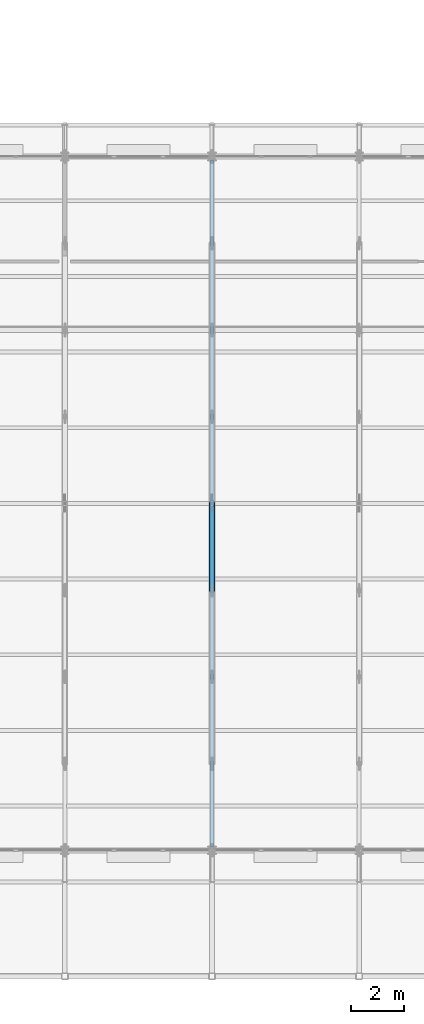
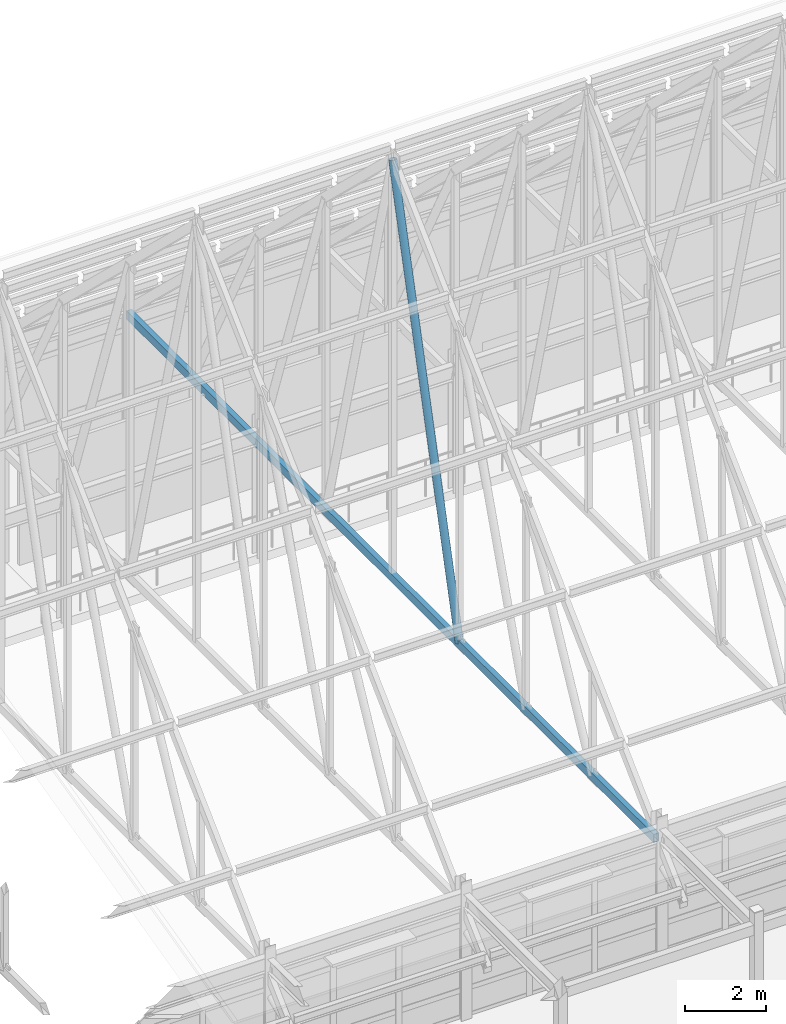
# One storey, part 45 of 144: 2 members.
"""IFC4 building model written with IfcOpenShell, lengths in metres."""

from ifc_helpers import new_model, si_unit, direction, frame, origin, origin_2d, place, context, subcontext, project, spatial, hollow_rectangle, hollow_circle, extrude, material, material_profile, profile_set, type_object, element, save


model = new_model("IFC4")

# Units and contexts
model_context = context("Model", 3, precision=1e-05, world=origin(), true_north=direction((0.0, 1.0)))
body_context = subcontext(model_context, "Body", "Model", "MODEL_VIEW")
ifc_project = project(units=[si_unit("LENGTHUNIT", "METRE"), si_unit("AREAUNIT", "SQUARE_METRE"), si_unit("VOLUMEUNIT", "CUBIC_METRE"), si_unit("PLANEANGLEUNIT", "RADIAN"), si_unit("MASSUNIT", "GRAM", prefix="KILO")], contexts=[model_context])

# Site, building, storey
site_placement = place(None, origin())
site = spatial("IfcSite", under=ifc_project, at=site_placement, CompositionType="ELEMENT")
building_placement = place(site_placement, origin())
building = spatial("IfcBuilding", under=site, at=building_placement, Name="Trelmorton Wharf Fire Station", CompositionType="ELEMENT")
storey_placement = place(building_placement, frame((0.0, 0.0, 5.39990234375)))
storey = spatial("IfcBuildingStorey", under=building, at=storey_placement, Name="L01", CompositionType="ELEMENT", Elevation=5.39990234375)

# Members
ifc_material = material(Name="Steel C350L0 (350 MPa)", Category="steel")
ifc_material_profile_1 = material_profile(ifc_material, hollow_rectangle(XDim=0.14990234375, YDim=0.25, WallThickness=0.009033203125, at=origin_2d()), Name="250x150x9.0RHS")
ifc_profile_set_1 = profile_set([ifc_material_profile_1], Name="Steel C350L0 (350 MPa)")
member_type_1 = type_object("IfcMemberType", Name="TR_CHORD_250RHS", PredefinedType="CHORD", material=ifc_profile_set_1)
member_1_placement = place(storey_placement, frame((34.39990234375, 7.95361328125, 3.351806640625), z_axis=(0.0, 1.0, 0.0), x_axis=(-1.0, 0.0, 0.0)))
element("IfcMember", 1, at=member_1_placement, inside=storey, type_object=member_type_1, Name="V1-TR07-BC", PredefinedType="CHORD", context=body_context, shape_type="SweptSolid", body=[
    extrude(hollow_rectangle(XDim=0.14990234375, YDim=0.25, WallThickness=0.009033203125, at=origin_2d()), origin(), (0.0, 0.0, 1.0), 26.0927734375),
])
ifc_material_profile_2 = material_profile(ifc_material, hollow_circle(Radius=0.109619140625, WallThickness=0.00830078125, at=origin_2d()), Name="219.1x8.2CHS")
ifc_profile_set_2 = profile_set([ifc_material_profile_2], Name="Steel C350L0 (350 MPa)")
member_type_2 = type_object("IfcMemberType", Name="TR_DIAG_219CHS", PredefinedType="STRUT", material=ifc_profile_set_2)
member_2_placement = place(storey_placement, frame((34.39990234375, 17.699951171875, 3.351806640625), z_axis=(0.0, 0.25336106238, 0.967371785856), x_axis=(-1.0, 0.0, 0.0)))
element("IfcMember", 2, at=member_2_placement, inside=storey, type_object=member_type_2, Name="V1-TR07-DG-S3", PredefinedType="STRUT", context=body_context, shape_type="SweptSolid", body=[
    extrude(hollow_circle(Radius=0.109619140625, WallThickness=0.00830078125, at=origin_2d()), origin(), (0.0, 0.0, 1.0), 13.025146484375),
])

save(model, "model.ifc")
